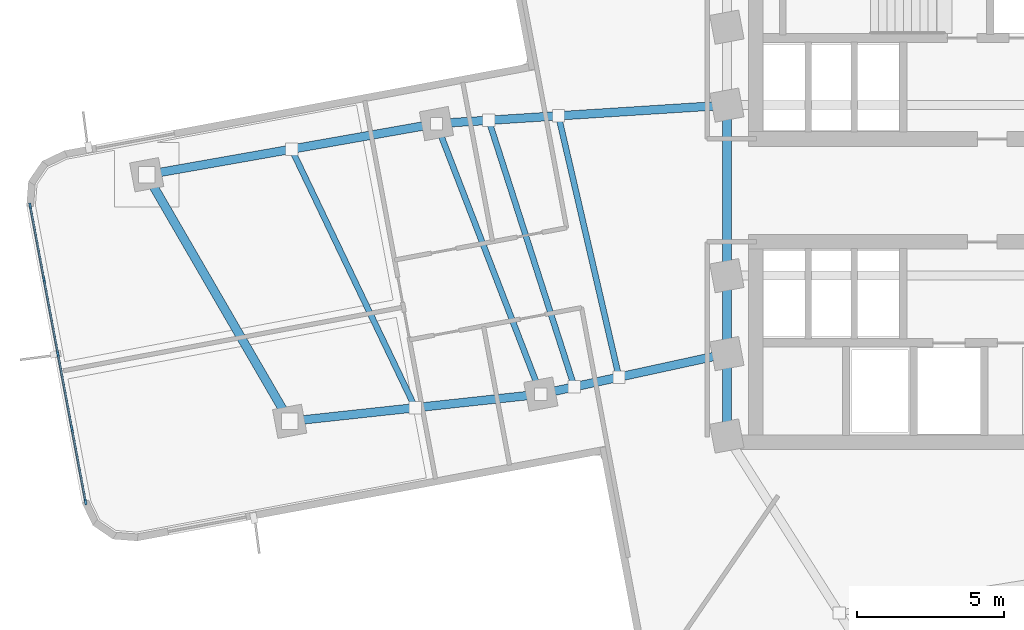
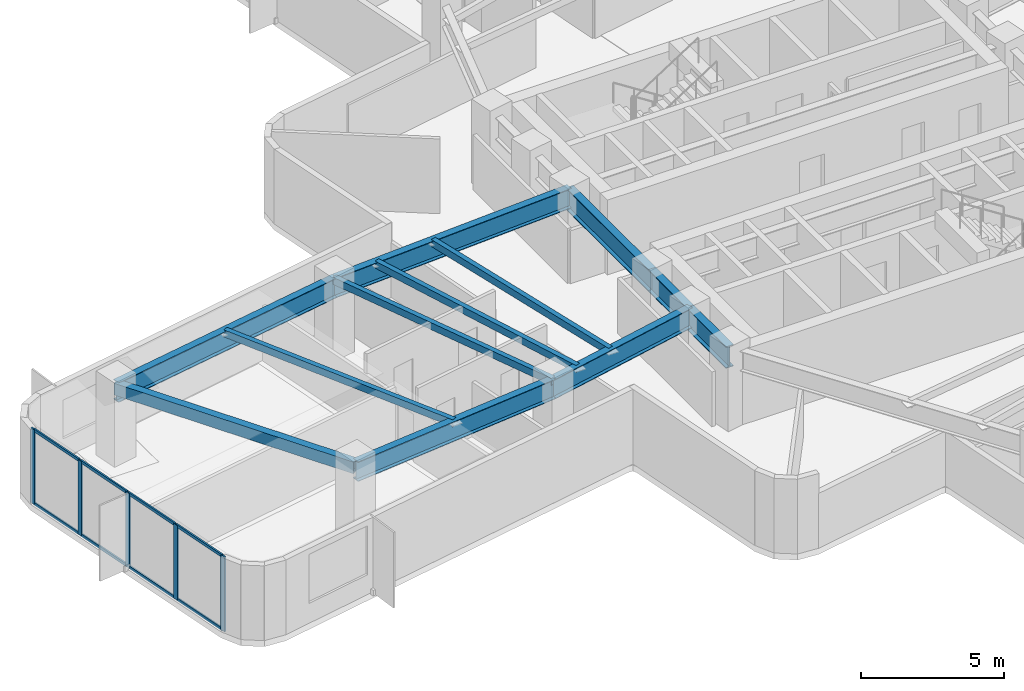
# One storey, part 2 of 12: 13 members, 12 beams, 1 element without a shape of its own.
"""IFC4 building model written with IfcOpenShell, lengths in metres."""

import ifcopenshell
import ifcopenshell.guid

model = None  # the IFC model being written
_history = None  # IfcOwnerHistory: only IFC2X3 demands one
_inside = {}  # id of a spatial element -> (the spatial element, [elements in it])
_under = {}  # id of a project, library or spatial element -> (it, [spatial elements below it])
_declared = {}  # id of a project -> (the project, [libraries it declares])
_typed = {}  # id of a type object -> (the type object, [elements of that type])
_made_of = {}  # id of a material, layer set ... -> (it, [elements and type objects made of it])


def new_model(schema):
    """Start an empty IFC model of exactly this schema.

    Asked for "IFC4X3", IfcOpenShell would pick the latest addendum, in which some entities
    have other attributes; the version numbers below select the first issue.
    IFC2X3 requires an IfcOwnerHistory on every rooted entity: one is made here for all.
    """
    global model, _history
    if schema == "IFC4X3":
        model = ifcopenshell.file(schema_version=(4, 3, 0, 0))
    else:
        model = ifcopenshell.file(schema=schema)
    _inside.clear()
    _under.clear()
    _declared.clear()
    _typed.clear()
    _made_of.clear()
    _history = None
    if model.schema == "IFC2X3":
        org = make("IfcOrganization", Name="unknown")
        user = make(
            "IfcPersonAndOrganization",
            ThePerson=make("IfcPerson", FamilyName="unknown"),
            TheOrganization=org,
        )
        app = make(
            "IfcApplication",
            ApplicationDeveloper=org,
            Version="unknown",
            ApplicationFullName="unknown",
            ApplicationIdentifier="unknown",
        )
        _history = make(
            "IfcOwnerHistory",
            OwningUser=user,
            OwningApplication=app,
            ChangeAction="ADDED",
            CreationDate=0,
        )
    return model


def make(cls, **values):
    """One entity of the class cls with the attributes given. An attribute that is None is left unset."""
    return model.create_entity(
        cls, **{name: value for name, value in values.items() if value is not None}
    )


def rooted(cls, **values):
    """An entity with a GlobalId (a new one), such as an element, a storey or a relation."""
    return make(cls, GlobalId=ifcopenshell.guid.new(), OwnerHistory=_history, **values)


def si_unit(unit_type, name, prefix=None):
    """IfcSIUnit, for example si_unit("LENGTHUNIT", "METRE", prefix="MILLI")."""
    return make("IfcSIUnit", UnitType=unit_type, Prefix=prefix, Name=name)


def assignment(units):
    """IfcUnitAssignment: the units of a project."""
    return None if units is None else make("IfcUnitAssignment", Units=units)


def point(xyz):
    """IfcCartesianPoint."""
    return None if xyz is None else make("IfcCartesianPoint", Coordinates=xyz)


def direction(xyz):
    """IfcDirection."""
    return None if xyz is None else make("IfcDirection", DirectionRatios=xyz)


def frame(location, z_axis=None, x_axis=None):
    """IfcAxis2Placement3D, a coordinate frame: its origin and axes. An axis left out is left unset."""
    return make(
        "IfcAxis2Placement3D",
        Location=point(location),
        Axis=direction(z_axis),
        RefDirection=direction(x_axis),
    )


def frame_2d(location, x_axis=None):
    """IfcAxis2Placement2D, a coordinate frame in the plane: its origin and x axis."""
    return make(
        "IfcAxis2Placement2D", Location=point(location), RefDirection=direction(x_axis)
    )


def origin():
    """The frame at (0, 0, 0) with its axes left unset."""
    return frame((0.0, 0.0, 0.0))


def origin_2d():
    """The frame at (0, 0) in the plane with its x axis left unset."""
    return frame_2d((0.0, 0.0))


def place(relative_to, where):
    """IfcLocalPlacement: puts the frame where relative to a parent placement (None: the world)."""
    return make(
        "IfcLocalPlacement", PlacementRelTo=relative_to, RelativePlacement=where
    )


def context(
    kind, dimensions, precision=None, world=None, true_north=None, identifier=None
):
    """IfcGeometricRepresentationContext, for example the 3D "Model" context."""
    return make(
        "IfcGeometricRepresentationContext",
        ContextIdentifier=identifier,
        ContextType=kind,
        CoordinateSpaceDimension=dimensions,
        Precision=precision,
        WorldCoordinateSystem=world,
        TrueNorth=true_north,
    )


def subcontext(parent, identifier, kind, view, scale=None):
    """IfcGeometricRepresentationSubContext, for example "Body" below "Model"."""
    return make(
        "IfcGeometricRepresentationSubContext",
        ContextIdentifier=identifier,
        ContextType=kind,
        ParentContext=parent,
        TargetScale=scale,
        TargetView=view,
    )


def project(units=None, contexts=None):
    """IfcProject with its units and contexts."""
    return rooted(
        "IfcProject",
        Name="project",
        RepresentationContexts=contexts,
        UnitsInContext=assignment(units),
    )


def spatial(cls, under=None, at=None, **own):
    """A site, building, storey or space (cls), placed at a placement, below another one or the project."""
    s = rooted(cls, ObjectPlacement=at, **own)
    if under is not None:
        _under.setdefault(under.id(), (under, []))[1].append(s)
    return s


def profile(cls, at=None, kind="AREA", **sizes):
    """A parametric profile (cls). Its sizes go by their IFC names, for example OverallWidth=200.0."""
    return make(cls, ProfileType=kind, Position=at, **sizes)


def rectangle(**sizes):
    """IfcRectangleProfileDef."""
    return profile("IfcRectangleProfileDef", **sizes)


def hollow_rectangle(**sizes):
    """IfcRectangleHollowProfileDef."""
    return profile("IfcRectangleHollowProfileDef", **sizes)


def i_section(**sizes):
    """IfcIShapeProfileDef."""
    return profile("IfcIShapeProfileDef", **sizes)


def extrude(swept, where, along, depth):
    """IfcExtrudedAreaSolid: the profile swept, set in the frame where, extruded along a direction by depth."""
    return make(
        "IfcExtrudedAreaSolid",
        SweptArea=swept,
        Position=where,
        ExtrudedDirection=direction(along),
        Depth=depth,
    )


def shape(context_of_items, identifier, shape_type, items):
    """IfcShapeRepresentation: the items that make up one representation, for example the "Body"."""
    return make(
        "IfcShapeRepresentation",
        ContextOfItems=context_of_items,
        RepresentationIdentifier=identifier,
        RepresentationType=shape_type,
        Items=items,
    )


def material(Name=None, Category=None):
    """IfcMaterial."""
    return make("IfcMaterial", Name=Name, Category=Category)


def layer(
    of_material, thickness, ventilated=None, Name=None, Category=None, Priority=None
):
    """IfcMaterialLayer: one layer of a wall or slab, of a material (None: an air gap)."""
    return make(
        "IfcMaterialLayer",
        Material=of_material,
        LayerThickness=thickness,
        IsVentilated=ventilated,
        Name=Name,
        Category=Category,
        Priority=Priority,
    )


def layer_set(layers, Name=None):
    """IfcMaterialLayerSet."""
    return make("IfcMaterialLayerSet", MaterialLayers=layers, LayerSetName=Name)


def material_profile(
    of_material, cross_section, Name=None, Category=None, Priority=None
):
    """IfcMaterialProfile: a cross section and its material."""
    return make(
        "IfcMaterialProfile",
        Name=Name,
        Material=of_material,
        Profile=cross_section,
        Priority=Priority,
        Category=Category,
    )


def profile_set(profiles, Name=None, composite=None):
    """IfcMaterialProfileSet."""
    return make(
        "IfcMaterialProfileSet",
        Name=Name,
        MaterialProfiles=profiles,
        CompositeProfile=composite,
    )


def made_of(thing, what):
    """Note that an element or type object is made of a material, layer set ...; save() writes the relation."""
    if what is not None:
        _made_of.setdefault(what.id(), (what, []))[1].append(thing)
    return thing


def type_object(cls, material=None, **own):
    """A type object (cls), such as IfcWallType, which elements share."""
    return made_of(rooted(cls, **own), material)


def element(
    cls,
    number,
    at=None,
    inside=None,
    cuts=None,
    type_object=None,
    material=None,
    context=None,
    identifier="Body",
    shape_type=None,
    held_by="IfcProductDefinitionShape",
    body=None,
    shapes=None,
    **own,
):
    """One element of the class cls, such as IfcWall. Its Tag is "e" and its number.

    at: its placement. inside: the storey or other place that contains it. cuts: it is an
    opening in that element (IfcRelVoidsElement). A single representation is given by context,
    identifier, shape_type and body (its items); several are given by shapes. held_by: the class
    of the entity that holds the representations. save() writes the other relations.
    """
    e = rooted(cls, Tag="e%d" % number, ObjectPlacement=at, **own)
    if body is not None:
        shapes = [shape(context, identifier, shape_type, body)]
    if shapes is not None:
        e.Representation = make(held_by, Representations=shapes)
    if inside is not None:
        _inside.setdefault(inside.id(), (inside, []))[1].append(e)
    if cuts is not None:
        rooted(
            "IfcRelVoidsElement", RelatingBuildingElement=cuts, RelatedOpeningElement=e
        )
    if type_object is not None:
        _typed.setdefault(type_object.id(), (type_object, []))[1].append(e)
    return made_of(e, material)


def aggregate(whole, parts):
    """IfcRelAggregates: a whole, such as a stair, and the parts it consists of."""
    return rooted("IfcRelAggregates", RelatingObject=whole, RelatedObjects=parts)


def save(model, path):
    """Write the relations noted so far, then the file.

    IfcRelAggregates (storeys below a building ...), IfcRelContainedInSpatialStructure (elements
    in a storey), IfcRelDefinesByType, IfcRelAssociatesMaterial and IfcRelDeclares: one each for
    every whole, place, type object, material and project.
    """
    for whole, parts in _under.values():
        aggregate(whole, parts)
    for where, things in _inside.values():
        rooted(
            "IfcRelContainedInSpatialStructure",
            RelatedElements=things,
            RelatingStructure=where,
        )
    for kind, things in _typed.values():
        rooted("IfcRelDefinesByType", RelatedObjects=things, RelatingType=kind)
    for what, things in _made_of.values():
        rooted("IfcRelAssociatesMaterial", RelatedObjects=things, RelatingMaterial=what)
    for by, libraries in _declared.values():
        rooted("IfcRelDeclares", RelatingContext=by, RelatedDefinitions=libraries)
    model.write(path)


model = new_model("IFC4")

# Units and contexts
model_context = context("Model", 3, precision=1e-05, world=origin(), true_north=direction((0.0, 1.0)))
body_context = subcontext(model_context, "Body", "Model", "MODEL_VIEW")
ifc_project = project(units=[si_unit("LENGTHUNIT", "METRE"), si_unit("AREAUNIT", "SQUARE_METRE"), si_unit("VOLUMEUNIT", "CUBIC_METRE"), si_unit("PLANEANGLEUNIT", "RADIAN"), si_unit("MASSUNIT", "GRAM", prefix="KILO")], contexts=[model_context])

# Site, building, storey
site_placement = place(None, origin())
site = spatial("IfcSite", under=ifc_project, at=site_placement, CompositionType="ELEMENT")
building_placement = place(site_placement, origin())
building = spatial("IfcBuilding", under=site, at=building_placement, Name="Solmarez Civic Tower", CompositionType="ELEMENT")
storey_placement = place(building_placement, frame((0.0, 0.0, 103.679931640625)))
storey = spatial("IfcBuildingStorey", under=building, at=storey_placement, Name="L27", CompositionType="ELEMENT", Elevation=103.679931640625)

# Beams
ifc_material_1 = material(Name="Steel S355", Category="steel")
ifc_material_profile_1 = material_profile(ifc_material_1, hollow_rectangle(XDim=0.199951171875, YDim=0.300048828125, WallThickness=0.011962890625, at=origin_2d()), Name="HSS300X200X12")
ifc_profile_set_1 = profile_set([ifc_material_profile_1], Name="Steel S355")
beam_type_1 = type_object("IfcBeamType", Name="BM-JS-HSS300X200", PredefinedType="JOIST", material=ifc_profile_set_1)
beam_1_placement = place(storey_placement, frame((-18.72412109375, 2.27099609375, 3.050048828125), z_axis=(0.359984466214, -0.932958297077, 0.0), x_axis=(0.932958297077, 0.359984466214, 0.0)))
element("IfcBeam", 1, at=beam_1_placement, inside=storey, type_object=beam_type_1, Name="L27 Secondary Floor Joist BM-L27-WA-T1", PredefinedType="JOIST", context=body_context, shape_type="SweptSolid", body=[
    extrude(hollow_rectangle(XDim=0.199951171875, YDim=0.300048828125, WallThickness=0.011962890625, at=origin_2d()), origin(), (0.0, 0.0, 1.0), 9.85888671875),
])
beam_2_placement = place(storey_placement, frame((-23.64990234375, 1.402099609375, 3.050048828125), z_axis=(0.431491843414, -0.902116837814, 0.0), x_axis=(0.902116837814, 0.431491843414, 0.0)))
element("IfcBeam", 2, at=beam_2_placement, inside=storey, type_object=beam_type_1, Name="L27 Secondary Floor Joist JS-L27-WA-M2", PredefinedType="JOIST", context=body_context, shape_type="SweptSolid", body=[
    extrude(hollow_rectangle(XDim=0.199951171875, YDim=0.300048828125, WallThickness=0.011962890625, at=origin_2d()), origin(), (0.0, 0.0, 1.0), 9.744873046875),
])
beam_3_placement = place(storey_placement, frame((-14.576904296875, 2.534912109375, 3.050048828125), z_axis=(0.225762717226, -0.974182321494, 0.0), x_axis=(0.974182321494, 0.225762717226, 0.0)))
element("IfcBeam", 3, at=beam_3_placement, inside=storey, type_object=beam_type_1, Name="L27 Secondary Floor Joist JS-L27-WA-M11", PredefinedType="JOIST", context=body_context, shape_type="SweptSolid", body=[
    extrude(hollow_rectangle(XDim=0.199951171875, YDim=0.300048828125, WallThickness=0.011962890625, at=origin_2d()), origin(), (0.0, 0.0, 1.0), 9.119384765625),
])
beam_4_placement = place(storey_placement, frame((-16.947021484375, 2.384033203125, 3.050048828125), z_axis=(0.305705295997, -0.952126184914, 0.0), x_axis=(0.952126184914, 0.305705295997, 0.0)))
element("IfcBeam", 4, at=beam_4_placement, inside=storey, type_object=beam_type_1, Name="L27 Secondary Floor Joist JS-L27-WA-M12", PredefinedType="JOIST", context=body_context, shape_type="SweptSolid", body=[
    extrude(hollow_rectangle(XDim=0.199951171875, YDim=0.300048828125, WallThickness=0.011962890625, at=origin_2d()), origin(), (0.0, 0.0, 1.0), 9.518798828125),
])
ifc_material_profile_2 = material_profile(ifc_material_1, i_section(OverallWidth=0.2919921875, OverallDepth=0.845947265625, WebThickness=0.015380859375, FlangeThickness=0.0244140625, at=origin_2d()), Name="W33X141")
ifc_profile_set_2 = profile_set([ifc_material_profile_2], Name="Steel S355")
beam_type_2 = type_object("IfcBeamType", Name="BM-PR-W33X141", PredefinedType="BEAM", material=ifc_profile_set_2)
beam_5_placement = place(storey_placement, frame((-8.85009765625, 2.89990234375, 2.777099609375), z_axis=(-0.997977751208, -0.063564204508, 0.0), x_axis=(0.063564204508, -0.997977751208, 0.0)))
element("IfcBeam", 5, at=beam_5_placement, inside=storey, type_object=beam_type_2, Name="L27 Primary Floor Beam BM-L27-WA-R1A", PredefinedType="BEAM", context=body_context, shape_type="SweptSolid", body=[
    extrude(i_section(OverallWidth=0.2919921875, OverallDepth=0.845947265625, WebThickness=0.015380859375, FlangeThickness=0.0244140625, at=origin_2d()), origin(), (0.0, 0.0, 1.0), 9.89404296875),
])
beam_6_placement = place(storey_placement, frame((-8.85009765625, -5.550048828125, 2.777099609375), z_axis=(-0.977113347202, -0.212719314402, 0.0), x_axis=(0.212719314402, -0.977113347202, 0.0)))
element("IfcBeam", 6, at=beam_6_placement, inside=storey, type_object=beam_type_2, Name="L27 Primary Floor Beam BM-L27-WA-R1B", PredefinedType="BEAM", context=body_context, shape_type="SweptSolid", body=[
    extrude(i_section(OverallWidth=0.2919921875, OverallDepth=0.845947265625, WebThickness=0.015380859375, FlangeThickness=0.0244140625, at=origin_2d()), origin(), (0.0, 0.0, 1.0), 6.47314453125),
])
beam_7_placement = place(storey_placement, frame((-18.72412109375, 2.27099609375, 2.777099609375), z_axis=(-0.984792402105, -0.173735214497, 0.0), x_axis=(0.173735214497, -0.984792402105, 0.0)))
element("IfcBeam", 7, at=beam_7_placement, inside=storey, type_object=beam_type_2, Name="L27 Primary Floor Beam BM-L27-WA-R2A", PredefinedType="BEAM", context=body_context, shape_type="SweptSolid", body=[
    extrude(i_section(OverallWidth=0.2919921875, OverallDepth=0.845947265625, WebThickness=0.015380859375, FlangeThickness=0.0244140625, at=origin_2d()), origin(), (0.0, 0.0, 1.0), 10.00390625),
])
beam_8_placement = place(storey_placement, frame((-15.175048828125, -6.927001953125, 2.777099609375), z_axis=(-0.994196782435, -0.107576753045, 0.0), x_axis=(0.107576753045, -0.994196782435, 0.0)))
element("IfcBeam", 8, at=beam_8_placement, inside=storey, type_object=beam_type_2, Name="L27 Primary Floor Beam BM-L27-WA-R2B", PredefinedType="BEAM", context=body_context, shape_type="SweptSolid", body=[
    extrude(i_section(OverallWidth=0.2919921875, OverallDepth=0.845947265625, WebThickness=0.015380859375, FlangeThickness=0.0244140625, at=origin_2d()), origin(), (0.0, 0.0, 1.0), 8.58984375),
])
ifc_material_profile_3 = material_profile(ifc_material_1, i_section(OverallWidth=0.306884765625, OverallDepth=0.927001953125, WebThickness=0.019287109375, FlangeThickness=0.031982421875, at=origin_2d()), Name="W36X194")
ifc_profile_set_3 = profile_set([ifc_material_profile_3], Name="Steel S355")
beam_type_3 = type_object("IfcBeamType", Name="BM-PR-W36X194", PredefinedType="BEAM", material=ifc_profile_set_3)
beam_9_placement = place(storey_placement, frame((-8.85009765625, -8.35009765625, 2.736083984375), z_axis=(0.0, 1.0, 0.0), x_axis=(-1.0, 0.0, 0.0)))
element("IfcBeam", 9, at=beam_9_placement, inside=storey, type_object=beam_type_3, Name="L27 Primary Floor Beam BM-L27-HC12-HC1", PredefinedType="BEAM", context=body_context, shape_type="SweptSolid", body=[
    extrude(i_section(OverallWidth=0.306884765625, OverallDepth=0.927001953125, WebThickness=0.019287109375, FlangeThickness=0.031982421875, at=origin_2d()), origin(), (0.0, 0.0, 1.0), 2.800048828125),
])
beam_10_placement = place(storey_placement, frame((-8.85009765625, -5.550048828125, 2.736083984375), z_axis=(0.0, 1.0, 0.0), x_axis=(-1.0, 0.0, 0.0)))
element("IfcBeam", 10, at=beam_10_placement, inside=storey, type_object=beam_type_3, Name="L27 Primary Floor Beam BM-L27-HC1-HC2", PredefinedType="BEAM", context=body_context, shape_type="SweptSolid", body=[
    extrude(i_section(OverallWidth=0.306884765625, OverallDepth=0.927001953125, WebThickness=0.019287109375, FlangeThickness=0.031982421875, at=origin_2d()), origin(), (0.0, 0.0, 1.0), 2.650146484375),
])
beam_11_placement = place(storey_placement, frame((-8.85009765625, -2.89990234375, 2.736083984375), z_axis=(0.0, 1.0, 0.0), x_axis=(-1.0, 0.0, 0.0)))
element("IfcBeam", 11, at=beam_11_placement, inside=storey, type_object=beam_type_3, Name="L27 Primary Floor Beam BM-L27-HC2-HC3", PredefinedType="BEAM", context=body_context, shape_type="SweptSolid", body=[
    extrude(i_section(OverallWidth=0.306884765625, OverallDepth=0.927001953125, WebThickness=0.019287109375, FlangeThickness=0.031982421875, at=origin_2d()), origin(), (0.0, 0.0, 1.0), 5.7998046875),
])
ifc_material_profile_4 = material_profile(ifc_material_1, hollow_rectangle(XDim=0.300048828125, YDim=0.5, WallThickness=0.02001953125, at=origin_2d()), Name="HSS500X300X20")
ifc_profile_set_4 = profile_set([ifc_material_profile_4], Name="Steel S355")
beam_type_4 = type_object("IfcBeamType", Name="BM-SP-HSS500X300", PredefinedType="SPANDREL", material=ifc_profile_set_4)
beam_12_placement = place(storey_placement, frame((-28.575927734375, 0.532958984375, 2.949951171875), z_axis=(0.501571424933, -0.865116238254, 0.0), x_axis=(0.865116238254, 0.501571424933, 0.0)))
element("IfcBeam", 12, at=beam_12_placement, inside=storey, type_object=beam_type_4, Name="L27 Perimeter Spandrel Beam BM-L27-WA-T2", PredefinedType="SPANDREL", context=body_context, shape_type="SweptSolid", body=[
    extrude(hollow_rectangle(XDim=0.300048828125, YDim=0.5, WallThickness=0.02001953125, at=origin_2d()), origin(), (0.0, 0.0, 1.0), 9.691162109375),
])

# Curtain wall, members
ifc_material_2 = material(Name="Bronze Anodised Aluminium EN AW-6063 T6", Category="aluminium")
ifc_layer = layer(ifc_material_2, 0.2099609375)
ifc_layer_set = layer_set([ifc_layer], Name="Bronze Anodised Aluminium EN AW-6063 T6")
curtain_wall_type = type_object("IfcCurtainWallType", Name="CW-SYS-5", PredefinedType="NOTDEFINED", material=ifc_layer_set)
curtain_wall_placement = place(storey_placement, origin())
curtain_wall = element("IfcCurtainWall", 13, at=curtain_wall_placement, inside=storey, type_object=curtain_wall_type, Name="L27 Stick-Built Curtain Wall 1", PredefinedType="NOTDEFINED")
ifc_material_profile_5 = material_profile(ifc_material_2, rectangle(XDim=0.074951171875, YDim=0.199951171875, at=origin_2d()), Name="CWM-75X200")
ifc_profile_set_5 = profile_set([ifc_material_profile_5], Name="Bronze Anodised Aluminium EN AW-6063 T6")
member_type_1 = type_object("IfcMemberType", Name="CWM-TYPE-1", PredefinedType="MULLION", material=ifc_profile_set_5)
member_1_placement = place(storey_placement, frame((-30.65478515625, -10.592041015625, 0.0), z_axis=(0.0, 0.0, 1.0), x_axis=(-0.982939043586, -0.183931608469, 0.0)))
member_1 = element("IfcMember", 14, at=member_1_placement, type_object=member_type_1, Name="CWS5 mullion 1", PredefinedType="MULLION", context=body_context, shape_type="SweptSolid", body=[
    extrude(rectangle(XDim=0.074951171875, YDim=0.199951171875, at=origin_2d()), origin(), (0.0, 0.0, 1.0), 3.199951171875),
])
member_2_placement = place(storey_placement, frame((-31.12255859375, -8.09326171875, 0.0), z_axis=(0.0, 0.0, 1.0), x_axis=(-0.982939043586, -0.183931608469, 0.0)))
member_2 = element("IfcMember", 15, at=member_2_placement, type_object=member_type_1, Name="CWS5 mullion 2", PredefinedType="MULLION", context=body_context, shape_type="SweptSolid", body=[
    extrude(rectangle(XDim=0.074951171875, YDim=0.199951171875, at=origin_2d()), origin(), (0.0, 0.0, 1.0), 3.199951171875),
])
member_3_placement = place(storey_placement, frame((-31.596923828125, -5.5576171875, 0.0), z_axis=(0.0, 0.0, 1.0), x_axis=(-0.982939043586, -0.183931608469, 0.0)))
member_3 = element("IfcMember", 16, at=member_3_placement, type_object=member_type_1, Name="CWS5 mullion 3", PredefinedType="MULLION", context=body_context, shape_type="SweptSolid", body=[
    extrude(rectangle(XDim=0.074951171875, YDim=0.199951171875, at=origin_2d()), origin(), (0.0, 0.0, 1.0), 3.199951171875),
])
member_4_placement = place(storey_placement, frame((-32.071533203125, -3.021728515625, 0.0), z_axis=(0.0, 0.0, 1.0), x_axis=(-0.982939043586, -0.183931608469, 0.0)))
member_4 = element("IfcMember", 17, at=member_4_placement, type_object=member_type_1, Name="CWS5 mullion 4", PredefinedType="MULLION", context=body_context, shape_type="SweptSolid", body=[
    extrude(rectangle(XDim=0.074951171875, YDim=0.199951171875, at=origin_2d()), origin(), (0.0, 0.0, 1.0), 3.199951171875),
])
member_5_placement = place(storey_placement, frame((-32.5390625, -0.52294921875, 0.0), z_axis=(0.0, 0.0, 1.0), x_axis=(-0.982939043586, -0.183931608469, 0.0)))
member_5 = element("IfcMember", 18, at=member_5_placement, type_object=member_type_1, Name="CWS5 mullion 5", PredefinedType="MULLION", context=body_context, shape_type="SweptSolid", body=[
    extrude(rectangle(XDim=0.074951171875, YDim=0.199951171875, at=origin_2d()), origin(), (0.0, 0.0, 1.0), 3.199951171875),
])
ifc_material_profile_6 = material_profile(ifc_material_2, rectangle(XDim=0.06494140625, YDim=0.125, at=origin_2d()), Name="CWT-65X125")
ifc_profile_set_6 = profile_set([ifc_material_profile_6], Name="Bronze Anodised Aluminium EN AW-6063 T6")
member_type_2 = type_object("IfcMemberType", Name="CWT-TYPE-2", PredefinedType="USERDEFINED", material=ifc_profile_set_6)
member_6_placement = place(storey_placement, frame((-30.661865234375, -10.55517578125, 0.032470703125), z_axis=(-0.183959914877, 0.982933746353, 0.0), x_axis=(-0.982933746353, -0.183959914877, 0.0)))
member_6 = element("IfcMember", 19, at=member_6_placement, type_object=member_type_2, Name="CWS5 transom 1.1", ObjectType="TRANSOM", PredefinedType="USERDEFINED", context=body_context, shape_type="SweptSolid", body=[
    extrude(rectangle(XDim=0.06494140625, YDim=0.125, at=origin_2d()), origin(), (0.0, 0.0, 1.0), 2.467041015625),
])
member_7_placement = place(storey_placement, frame((-30.661865234375, -10.55517578125, 3.16748046875), z_axis=(-0.183959914877, 0.982933746353, 0.0), x_axis=(-0.982933746353, -0.183959914877, 0.0)))
member_7 = element("IfcMember", 20, at=member_7_placement, type_object=member_type_2, Name="CWS5 transom 1.2", ObjectType="TRANSOM", PredefinedType="USERDEFINED", context=body_context, shape_type="SweptSolid", body=[
    extrude(rectangle(XDim=0.06494140625, YDim=0.125, at=origin_2d()), origin(), (0.0, 0.0, 1.0), 2.467041015625),
])
member_8_placement = place(storey_placement, frame((-31.12939453125, -8.056396484375, 0.032470703125), z_axis=(-0.183917784468, 0.98294163029, 0.0), x_axis=(-0.98294163029, -0.183917784468, 0.0)))
member_8 = element("IfcMember", 21, at=member_8_placement, type_object=member_type_2, Name="CWS5 transom 2.1", ObjectType="TRANSOM", PredefinedType="USERDEFINED", context=body_context, shape_type="SweptSolid", body=[
    extrude(rectangle(XDim=0.06494140625, YDim=0.125, at=origin_2d()), origin(), (0.0, 0.0, 1.0), 2.5048828125),
])
member_9_placement = place(storey_placement, frame((-31.12939453125, -8.056396484375, 3.16748046875), z_axis=(-0.183917784468, 0.98294163029, 0.0), x_axis=(-0.98294163029, -0.183917784468, 0.0)))
member_9 = element("IfcMember", 22, at=member_9_placement, type_object=member_type_2, Name="CWS5 transom 2.2", ObjectType="TRANSOM", PredefinedType="USERDEFINED", context=body_context, shape_type="SweptSolid", body=[
    extrude(rectangle(XDim=0.06494140625, YDim=0.125, at=origin_2d()), origin(), (0.0, 0.0, 1.0), 2.5048828125),
])
member_10_placement = place(storey_placement, frame((-31.60400390625, -5.520751953125, 0.032470703125), z_axis=(-0.183917784468, 0.98294163029, 0.0), x_axis=(-0.98294163029, -0.183917784468, 0.0)))
member_10 = element("IfcMember", 23, at=member_10_placement, type_object=member_type_2, Name="CWS5 transom 3.1", ObjectType="TRANSOM", PredefinedType="USERDEFINED", context=body_context, shape_type="SweptSolid", body=[
    extrude(rectangle(XDim=0.06494140625, YDim=0.125, at=origin_2d()), origin(), (0.0, 0.0, 1.0), 2.5048828125),
])
member_11_placement = place(storey_placement, frame((-31.60400390625, -5.520751953125, 3.16748046875), z_axis=(-0.183917784468, 0.98294163029, 0.0), x_axis=(-0.98294163029, -0.183917784468, 0.0)))
member_11 = element("IfcMember", 24, at=member_11_placement, type_object=member_type_2, Name="CWS5 transom 3.2", ObjectType="TRANSOM", PredefinedType="USERDEFINED", context=body_context, shape_type="SweptSolid", body=[
    extrude(rectangle(XDim=0.06494140625, YDim=0.125, at=origin_2d()), origin(), (0.0, 0.0, 1.0), 2.5048828125),
])
member_12_placement = place(storey_placement, frame((-32.078369140625, -2.98486328125, 0.032470703125), z_axis=(-0.183959914877, 0.982933746353, 0.0), x_axis=(-0.982933746353, -0.183959914877, 0.0)))
member_12 = element("IfcMember", 25, at=member_12_placement, type_object=member_type_2, Name="CWS5 transom 4.1", ObjectType="TRANSOM", PredefinedType="USERDEFINED", context=body_context, shape_type="SweptSolid", body=[
    extrude(rectangle(XDim=0.06494140625, YDim=0.125, at=origin_2d()), origin(), (0.0, 0.0, 1.0), 2.467041015625),
])
member_13_placement = place(storey_placement, frame((-32.078369140625, -2.98486328125, 3.16748046875), z_axis=(-0.183959914877, 0.982933746353, 0.0), x_axis=(-0.982933746353, -0.183959914877, 0.0)))
member_13 = element("IfcMember", 26, at=member_13_placement, type_object=member_type_2, Name="CWS5 transom 4.2", ObjectType="TRANSOM", PredefinedType="USERDEFINED", context=body_context, shape_type="SweptSolid", body=[
    extrude(rectangle(XDim=0.06494140625, YDim=0.125, at=origin_2d()), origin(), (0.0, 0.0, 1.0), 2.467041015625),
])
aggregate(curtain_wall, [member_1, member_2, member_3, member_4, member_5, member_6, member_7, member_8, member_9, member_10, member_11, member_12, member_13])

save(model, "model.ifc")
